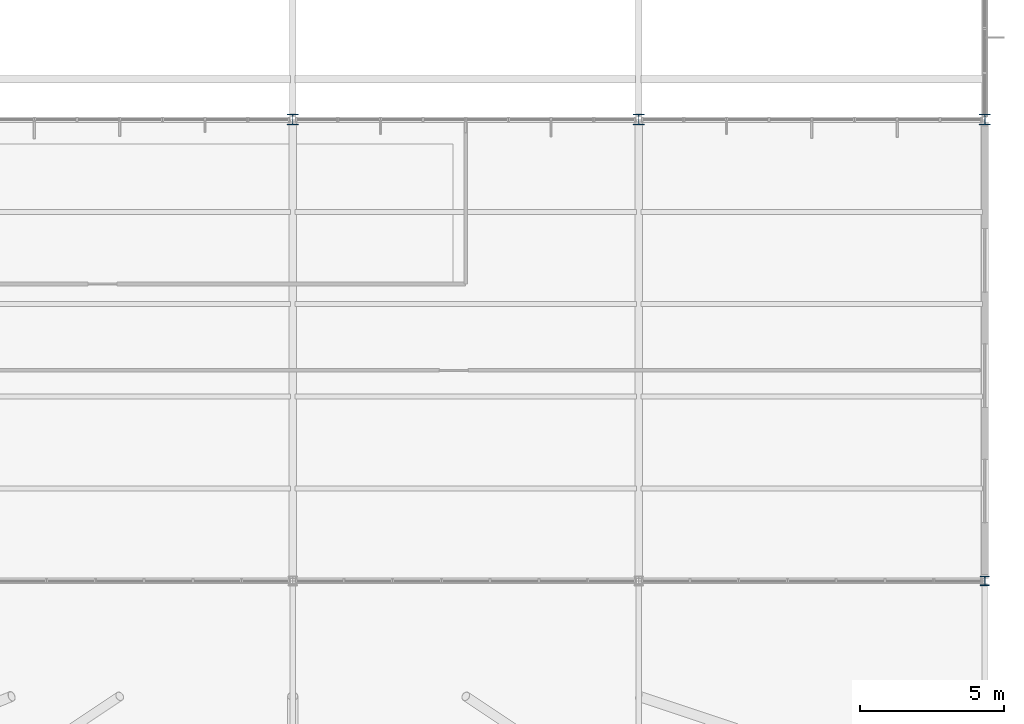
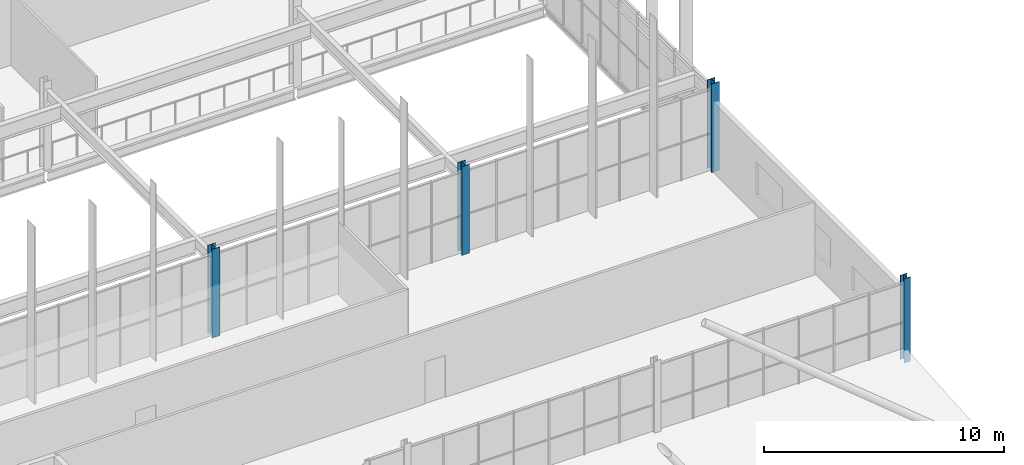
# One storey, part 12 of 324: 4 columns.
"""IFC4 building model written with IfcOpenShell, lengths in metres."""

from ifc_helpers import new_model, si_unit, direction, frame, origin, origin_2d, place, context, subcontext, project, spatial, i_section, extrude, material, material_profile, profile_set, type_object, element, save


model = new_model("IFC4")

# Units and contexts
model_context = context("Model", 3, precision=1e-05, world=origin(), true_north=direction((0.0, 1.0)))
body_context = subcontext(model_context, "Body", "Model", "MODEL_VIEW")
ifc_project = project(units=[si_unit("LENGTHUNIT", "METRE"), si_unit("AREAUNIT", "SQUARE_METRE"), si_unit("VOLUMEUNIT", "CUBIC_METRE"), si_unit("PLANEANGLEUNIT", "RADIAN"), si_unit("MASSUNIT", "GRAM", prefix="KILO")], contexts=[model_context])

# Site, building, storey
site_placement = place(None, origin())
site = spatial("IfcSite", under=ifc_project, at=site_placement, CompositionType="ELEMENT")
building_placement = place(site_placement, origin())
building = spatial("IfcBuilding", under=site, at=building_placement, Name="Solvenia Promenade Tram Depot", CompositionType="ELEMENT")
storey_placement = place(building_placement, frame((0.0, 0.0, 4.5)))
storey = spatial("IfcBuildingStorey", under=building, at=storey_placement, Name="L01", CompositionType="ELEMENT", Elevation=4.5)

# Columns
ifc_material = material(Name="Structural steel ASTM A992 Gr. 50", Category="steel")
ifc_material_profile_1 = material_profile(ifc_material, i_section(OverallWidth=0.30908203125, OverallDepth=0.322998046875, WebThickness=0.013916015625, FlangeThickness=0.02294921875, FilletRadius=0.014892578125, at=origin_2d()), Name="W310x143", Category="steel")
ifc_profile_set_1 = profile_set([ifc_material_profile_1], Name="Structural steel ASTM A992 Gr. 50")
column_type_1 = type_object("IfcColumnType", Name="Col-W310x143", PredefinedType="COLUMN", material=ifc_profile_set_1)
column_placement = place(storey_placement, frame((186.0, 8.0, 0.0), z_axis=(0.0, 0.0, 1.0), x_axis=(1.0, 0.0, 0.0)))
element("IfcColumn", 1, at=column_placement, inside=storey, type_object=column_type_1, Name="Steel Column COL-L01-359", PredefinedType="COLUMN", context=body_context, shape_type="SweptSolid", body=[
    extrude(i_section(OverallWidth=0.30908203125, OverallDepth=0.322998046875, WebThickness=0.013916015625, FlangeThickness=0.02294921875, FilletRadius=0.014892578125, at=origin_2d()), origin(), (0.0, 0.0, 1.0), 4.280029296875),
])
ifc_material_profile_2 = material_profile(ifc_material, i_section(OverallWidth=0.373046875, OverallDepth=0.367919921875, WebThickness=0.014892578125, FlangeThickness=0.02392578125, FilletRadius=0.014892578125, at=origin_2d()), Name="W360x179", Category="steel")
ifc_profile_set_2 = profile_set([ifc_material_profile_2], Name="Structural steel ASTM A992 Gr. 50")
column_type_2 = type_object("IfcColumnType", Name="Col-W360x179", PredefinedType="COLUMN", material=ifc_profile_set_2)
for number, where, z_axis, x_axis, name in (
    (2, (162.0, 24.0, 0.0), (0.0, 0.0, 1.0), (1.0, 0.0, 0.0), "Steel Column COL-L01-328"),
    (3, (174.0, 24.0, 0.0), (0.0, 0.0, 1.0), (1.0, 0.0, 0.0), "Steel Column COL-L01-346"),
    (4, (186.0, 24.0, 0.0), (0.0, 0.0, 1.0), (1.0, 0.0, 0.0), "Steel Column COL-L01-361"),
):
    element("IfcColumn", number, at=place(storey_placement, frame(where, z_axis=z_axis, x_axis=x_axis)), inside=storey, type_object=column_type_2, Name=name, PredefinedType="COLUMN", context=body_context, shape_type="SweptSolid", body=[
        extrude(i_section(OverallWidth=0.373046875, OverallDepth=0.367919921875, WebThickness=0.014892578125, FlangeThickness=0.02392578125, FilletRadius=0.014892578125, at=origin_2d()), origin(), (0.0, 0.0, 1.0), 4.5),
    ])

save(model, "model.ifc")
